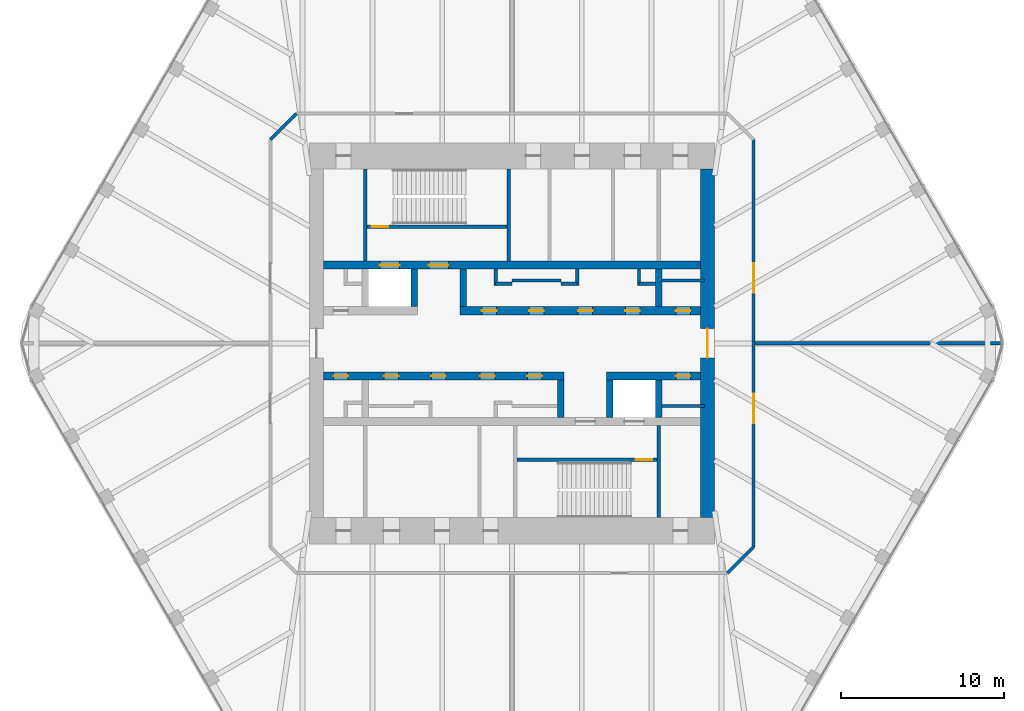
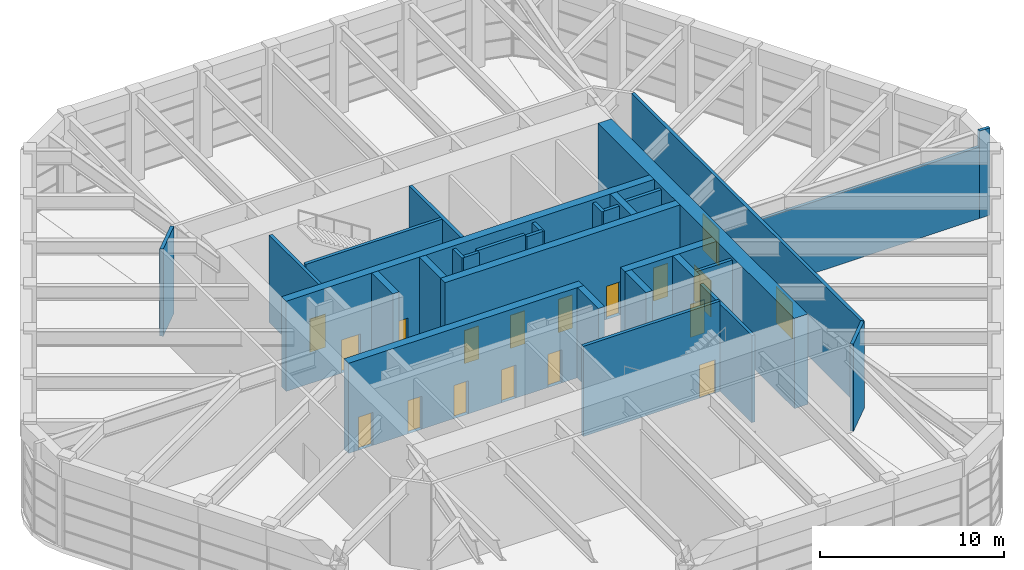
# One storey, part 14 of 16: 30 walls, 18 doors, 18 openings.
"""IFC4 building model written with IfcOpenShell, lengths in metres."""

from ifc_helpers import new_model, si_unit, direction, frame, frame_2d, origin, place, context, subcontext, project, spatial, rectangle, extrude, material, layer, layer_set, type_object, element, fill, save


model = new_model("IFC4")

# Units and contexts
model_context = context("Model", 3, precision=1e-05, world=origin(), true_north=direction((0.0, 1.0)))
body_context = subcontext(model_context, "Body", "Model", "MODEL_VIEW")
ifc_project = project(units=[si_unit("LENGTHUNIT", "METRE"), si_unit("AREAUNIT", "SQUARE_METRE"), si_unit("VOLUMEUNIT", "CUBIC_METRE"), si_unit("PLANEANGLEUNIT", "RADIAN"), si_unit("MASSUNIT", "GRAM", prefix="KILO")], contexts=[model_context])

# Site, building, storey
site_placement = place(None, origin())
site = spatial("IfcSite", under=ifc_project, at=site_placement, CompositionType="ELEMENT")
building_placement = place(site_placement, origin())
building = spatial("IfcBuilding", under=site, at=building_placement, Name="Tarfa Lantern Tower", CompositionType="ELEMENT")
storey_placement = place(building_placement, frame((0.0, 0.0, 396.300048828125)))
storey = spatial("IfcBuildingStorey", under=building, at=storey_placement, Name="L90", CompositionType="ELEMENT", Elevation=396.300048828125)

# Walls
ifc_material_1 = material(Name="Concrete blockwork", Category="masonry")
ifc_layer_1 = layer(ifc_material_1, 0.199951171875)
ifc_layer_set_1 = layer_set([ifc_layer_1], Name="IW1 BLOCKWORK PARTITION 200 EI 120")
wall_type_1 = type_object("IfcWallType", Name="IW1 BLOCKWORK PARTITION 200 EI 120", PredefinedType="PARTITIONING", material=ifc_layer_set_1)
for number, where, z_axis, x_axis, name in (
    (1, (-9.0, 5.050048828125, 0.0), (0.0, 0.0, 1.0), (0.0, 1.0, 0.0), "Core partition"),
    (2, (9.0, -5.050048828125, 0.0), (0.0, 0.0, 1.0), (0.0, -1.0, 0.0), "Core partition"),
):
    element("IfcWall", number, at=place(storey_placement, frame(where, z_axis=z_axis, x_axis=x_axis)), inside=storey, type_object=wall_type_1, Name=name, PredefinedType="PARTITIONING", context=body_context, shape_type="SweptSolid", body=[
        extrude(rectangle(XDim=5.64990234375, YDim=0.199951171875, at=frame_2d((2.824951171875, 0.0))), origin(), (0.0, 0.0, 1.0), 5.800048828125),
    ])
for number, where, z_axis, x_axis, name in (
    (3, (-1.0, 3.64990234375, 0.0), (0.0, 0.0, 1.0), (1.0, 0.0, 0.0), "Core partition"),
    (4, (-1.0, 3.550048828125, 0.0), (0.0, 0.0, 1.0), (0.0, 1.0, 0.0), "Core partition"),
):
    element("IfcWall", number, at=place(storey_placement, frame(where, z_axis=z_axis, x_axis=x_axis)), inside=storey, type_object=wall_type_1, Name=name, PredefinedType="PARTITIONING", context=body_context, shape_type="SweptSolid", body=[
        extrude(rectangle(XDim=1.0, YDim=0.199951171875, at=frame_2d((0.5, 0.0))), origin(), (0.0, 0.0, 1.0), 5.800048828125),
    ])
wall_1_placement = place(storey_placement, frame((0.0, 3.85009765625, 0.0), z_axis=(0.0, 0.0, 1.0), x_axis=(1.0, 0.0, 0.0)))
element("IfcWall", 5, at=wall_1_placement, inside=storey, type_object=wall_type_1, Name="Core partition", PredefinedType="PARTITIONING", context=body_context, shape_type="SweptSolid", body=[
    extrude(rectangle(XDim=3.0, YDim=0.199951171875, at=frame_2d((1.5, 0.0))), origin(), (0.0, 0.0, 1.0), 5.800048828125),
])
for number, where, z_axis, x_axis, name in (
    (6, (3.0, 3.64990234375, 0.0), (0.0, 0.0, 1.0), (1.0, 0.0, 0.0), "Core partition"),
    (7, (4.0, 3.550048828125, 0.0), (0.0, 0.0, 1.0), (0.0, 1.0, 0.0), "Core partition"),
    (8, (7.800048828125, 3.64990234375, 0.0), (0.0, 0.0, 1.0), (1.0, 0.0, 0.0), "Core partition"),
    (9, (7.800048828125, 3.550048828125, 0.0), (0.0, 0.0, 1.0), (0.0, 1.0, 0.0), "Core partition"),
):
    element("IfcWall", number, at=place(storey_placement, frame(where, z_axis=z_axis, x_axis=x_axis)), inside=storey, type_object=wall_type_1, Name=name, PredefinedType="PARTITIONING", context=body_context, shape_type="SweptSolid", body=[
        extrude(rectangle(XDim=1.0, YDim=0.199951171875, at=frame_2d((0.5, 0.0))), origin(), (0.0, 0.0, 1.0), 5.800048828125),
    ])
for number, where, z_axis, x_axis, name in (
    (10, (9.199951171875, 3.85009765625, 0.0), (0.0, 0.0, 1.0), (1.0, 0.0, 0.0), "Core partition"),
    (11, (11.800048828125, -3.85009765625, 0.0), (0.0, 0.0, 1.0), (-1.0, 0.0, 0.0), "Core partition"),
):
    element("IfcWall", number, at=place(storey_placement, frame(where, z_axis=z_axis, x_axis=x_axis)), inside=storey, type_object=wall_type_1, Name=name, PredefinedType="PARTITIONING", context=body_context, shape_type="SweptSolid", body=[
        extrude(rectangle(XDim=2.60009765625, YDim=0.199951171875, at=frame_2d((1.300048828125, 0.0))), origin(), (0.0, 0.0, 1.0), 5.800048828125),
    ])

# Wall, openings, doors
wall_2_placement = place(storey_placement, frame((14.824951171875, 12.5, 0.0), z_axis=(0.0, 0.0, 1.0), x_axis=(0.0, -1.0, 0.0)))
wall_2 = element("IfcWall", 12, at=wall_2_placement, inside=storey, type_object=wall_type_1, Name="Fire-rated partition", PredefinedType="PARTITIONING", context=body_context, shape_type="SweptSolid", body=[
    extrude(rectangle(XDim=25.0, YDim=0.199951171875, at=frame_2d((12.5, 0.0))), origin(), (0.0, 0.0, 1.0), 5.800048828125),
])
opening_1_placement = place(wall_2_placement, frame((7.60009765625, 0.0, 0.0)))
opening_1 = element("IfcOpeningElement", 13, at=opening_1_placement, cuts=wall_2, Name="Opening D29", PredefinedType="OPENING", context=body_context, shape_type="SweptSolid", body=[
    extrude(rectangle(XDim=1.800048828125, YDim=2.39990234375, at=frame_2d((0.89990234375, 1.199951171875))), frame((0.0, 0.10986328125, 0.0), z_axis=(0.0, -1.0, 0.0), x_axis=(1.0, 0.0, 0.0)), (0.0, 0.0, 1.0), 0.219970703125),
])
opening_2_placement = place(wall_2_placement, frame((15.60009765625, 0.0, 0.0)))
opening_2 = element("IfcOpeningElement", 14, at=opening_2_placement, cuts=wall_2, Name="Opening D31", PredefinedType="OPENING", context=body_context, shape_type="SweptSolid", body=[
    extrude(rectangle(XDim=1.800048828125, YDim=2.39990234375, at=frame_2d((0.89990234375, 1.199951171875))), frame((0.0, 0.10986328125, 0.0), z_axis=(0.0, -1.0, 0.0), x_axis=(1.0, 0.0, 0.0)), (0.0, 0.0, 1.0), 0.219970703125),
])
ifc_material_2 = material(Name="Steel fire door", Category="steel")
door_type_1 = type_object("IfcDoorType", Name="DF7 FIRE DOOR 1800x2400", OperationType="DOUBLE_DOOR_SINGLE_SWING", PredefinedType="DOOR", material=ifc_material_2)
door_1_placement = place(opening_1_placement, origin())
door_1 = element("IfcDoor", 15, at=door_1_placement, inside=storey, type_object=door_type_1, Name="Air handling plant room door", OperationType="DOUBLE_DOOR_SINGLE_SWING", OverallHeight=2.39990234375, OverallWidth=1.800048828125, PredefinedType="DOOR", context=body_context, shape_type="SweptSolid", body=[
    extrude(rectangle(XDim=1.800048828125, YDim=2.39990234375, at=frame_2d((0.89990234375, 1.199951171875))), frame((0.0, 0.02490234375, 0.0), z_axis=(0.0, -1.0, 0.0), x_axis=(1.0, 0.0, 0.0)), (0.0, 0.0, 1.0), 0.050048828125),
])
fill(opening_1, door_1)
door_2_placement = place(opening_2_placement, origin())
door_2 = element("IfcDoor", 16, at=door_2_placement, inside=storey, type_object=door_type_1, Name="Water tank room door", OperationType="DOUBLE_DOOR_SINGLE_SWING", OverallHeight=2.39990234375, OverallWidth=1.800048828125, PredefinedType="DOOR", context=body_context, shape_type="SweptSolid", body=[
    extrude(rectangle(XDim=1.800048828125, YDim=2.39990234375, at=frame_2d((0.89990234375, 1.199951171875))), frame((0.0, 0.02490234375, 0.0), z_axis=(0.0, -1.0, 0.0), x_axis=(1.0, 0.0, 0.0)), (0.0, 0.0, 1.0), 0.050048828125),
])
fill(opening_2, door_2)

# Walls
for number, where, z_axis, x_axis, name in (
    (17, (14.824951171875, -12.5, 0.0), (0.0, 0.0, 1.0), (-0.707052830339, -0.707160727918, 0.0), "Fire-rated partition"),
    (18, (-14.824951171875, 12.5, 0.0), (0.0, 0.0, 1.0), (0.707052830339, 0.707160727918, 0.0), "Fire-rated partition"),
):
    element("IfcWall", number, at=place(storey_placement, frame(where, z_axis=z_axis, x_axis=x_axis)), inside=storey, type_object=wall_type_1, Name=name, PredefinedType="PARTITIONING", context=body_context, shape_type="SweptSolid", body=[
        extrude(rectangle(XDim=2.2626953125, YDim=0.199951171875, at=frame_2d((1.13134765625, 0.0))), origin(), (0.0, 0.0, 1.0), 5.800048828125),
    ])
wall_3_placement = place(storey_placement, frame((14.925048828125, 0.0, 0.0), z_axis=(0.0, 0.0, 1.0), x_axis=(1.0, 0.0, 0.0)))
element("IfcWall", 19, at=wall_3_placement, inside=storey, type_object=wall_type_1, Name="Fire-rated partition", PredefinedType="PARTITIONING", context=body_context, shape_type="SweptSolid", body=[
    extrude(rectangle(XDim=14.421630859375, YDim=0.199951171875, at=frame_2d((7.2109375, 0.0))), origin(), (0.0, 0.0, 1.0), 4.743896484375),
])
wall_4_placement = place(storey_placement, frame((29.3466796875, 0.0, 0.0), z_axis=(0.0, 0.0, 1.0), x_axis=(1.0, 0.0, 0.0)))
element("IfcWall", 20, at=wall_4_placement, inside=storey, type_object=wall_type_1, Name="Fire-rated partition", PredefinedType="PARTITIONING", context=body_context, shape_type="SweptSolid", body=[
    extrude(rectangle(XDim=0.65673828125, YDim=0.199951171875, at=frame_2d((0.328369140625, 0.0))), origin(), (0.0, 0.0, 1.0), 5.800048828125),
])
ifc_material_3 = material(Name="Concrete C80/95", Category="concrete")
ifc_layer_2 = layer(ifc_material_3, 0.199951171875)
ifc_layer_set_2 = layer_set([ifc_layer_2], Name="SW12 CORE WALL 200")
wall_type_2 = type_object("IfcWallType", Name="SW12 CORE WALL 200", PredefinedType="SHEAR", material=ifc_layer_set_2)
wall_5_placement = place(storey_placement, frame((-0.199951171875, 5.050048828125, 0.0), z_axis=(0.0, 0.0, 1.0), x_axis=(0.0, 1.0, 0.0)))
element("IfcWall", 21, at=wall_5_placement, inside=storey, type_object=wall_type_2, Name="Core wall stair shaft N", PredefinedType="SHEAR", context=body_context, shape_type="SweptSolid", body=[
    extrude(rectangle(XDim=5.64990234375, YDim=0.199951171875, at=frame_2d((2.824951171875, 0.0))), origin(), (0.0, 0.0, 1.0), 6.0),
])

# Wall, opening, door
wall_6_placement = place(storey_placement, frame((-8.89990234375, 7.14990234375, 0.0), z_axis=(0.0, 0.0, 1.0), x_axis=(1.0, 0.0, 0.0)))
wall_6 = element("IfcWall", 22, at=wall_6_placement, inside=storey, type_object=wall_type_2, Name="Core wall stair partition N", PredefinedType="SHEAR", context=body_context, shape_type="SweptSolid", body=[
    extrude(rectangle(XDim=8.599853515625, YDim=0.199951171875, at=frame_2d((4.2998046875, 0.0))), origin(), (0.0, 0.0, 1.0), 6.0),
])
opening_3_placement = place(wall_6_placement, frame((0.300048828125, 0.0, 0.0)))
opening_3 = element("IfcOpeningElement", 23, at=opening_3_placement, cuts=wall_6, Name="Opening D27", PredefinedType="OPENING", context=body_context, shape_type="SweptSolid", body=[
    extrude(rectangle(XDim=1.0, YDim=2.199951171875, at=frame_2d((0.5, 1.10009765625))), frame((0.0, 0.10986328125, 0.0), z_axis=(0.0, -1.0, 0.0), x_axis=(1.0, 0.0, 0.0)), (0.0, 0.0, 1.0), 0.219970703125),
])
door_type_2 = type_object("IfcDoorType", Name="DF2 STAIR DOOR 1000x2200", OperationType="SINGLE_SWING_LEFT", PredefinedType="DOOR", material=ifc_material_2)
door_3_placement = place(opening_3_placement, origin())
door_3 = element("IfcDoor", 24, at=door_3_placement, inside=storey, type_object=door_type_2, Name="Stair door", OperationType="SINGLE_SWING_RIGHT", OverallHeight=2.199951171875, OverallWidth=1.0, PredefinedType="DOOR", context=body_context, shape_type="SweptSolid", body=[
    extrude(rectangle(XDim=1.0, YDim=2.199951171875, at=frame_2d((0.5, 1.10009765625))), frame((0.0, 0.02490234375, 0.0), z_axis=(0.0, -1.0, 0.0), x_axis=(1.0, 0.0, 0.0)), (0.0, 0.0, 1.0), 0.050048828125),
])
fill(opening_3, door_3)

wall_7_placement = place(storey_placement, frame((8.89990234375, -7.14990234375, 0.0), z_axis=(0.0, 0.0, 1.0), x_axis=(-1.0, 0.0, 0.0)))
wall_7 = element("IfcWall", 25, at=wall_7_placement, inside=storey, type_object=wall_type_2, Name="Core wall stair partition S", PredefinedType="SHEAR", context=body_context, shape_type="SweptSolid", body=[
    extrude(rectangle(XDim=8.599853515625, YDim=0.199951171875, at=frame_2d((4.2998046875, 0.0))), origin(), (0.0, 0.0, 1.0), 6.0),
])
opening_4_placement = place(wall_7_placement, frame((0.300048828125, 0.0, 0.0)))
opening_4 = element("IfcOpeningElement", 26, at=opening_4_placement, cuts=wall_7, Name="Opening D28", PredefinedType="OPENING", context=body_context, shape_type="SweptSolid", body=[
    extrude(rectangle(XDim=1.0, YDim=2.199951171875, at=frame_2d((0.5, 1.10009765625))), frame((0.0, 0.10986328125, 0.0), z_axis=(0.0, -1.0, 0.0), x_axis=(1.0, 0.0, 0.0)), (0.0, 0.0, 1.0), 0.219970703125),
])
door_4_placement = place(opening_4_placement, origin())
door_4 = element("IfcDoor", 27, at=door_4_placement, inside=storey, type_object=door_type_2, Name="Stair door", OperationType="SINGLE_SWING_RIGHT", OverallHeight=2.199951171875, OverallWidth=1.0, PredefinedType="DOOR", context=body_context, shape_type="SweptSolid", body=[
    extrude(rectangle(XDim=1.0, YDim=2.199951171875, at=frame_2d((0.5, 1.10009765625))), frame((0.0, 0.02490234375, 0.0), z_axis=(0.0, -1.0, 0.0), x_axis=(1.0, 0.0, 0.0)), (0.0, 0.0, 1.0), 0.050048828125),
])
fill(opening_4, door_4)

ifc_layer_3 = layer(ifc_material_3, 0.85009765625)
ifc_layer_set_3 = layer_set([ifc_layer_3], Name="SW3 CORE WALL 850")
wall_type_3 = type_object("IfcWallType", Name="SW3 CORE WALL 850", PredefinedType="SHEAR", material=ifc_layer_set_3)
wall_8_placement = place(storey_placement, frame((12.0, -10.699951171875, 0.0), z_axis=(0.0, 0.0, 1.0), x_axis=(0.0, 1.0, 0.0)))
wall_8 = element("IfcWall", 28, at=wall_8_placement, inside=storey, type_object=wall_type_3, Name="Core wall E", PredefinedType="SHEAR", context=body_context, shape_type="SweptSolid", body=[
    extrude(rectangle(XDim=21.39990234375, YDim=0.85009765625, at=frame_2d((10.699951171875, 0.0))), origin(), (0.0, 0.0, 1.0), 6.0),
])
opening_5_placement = place(wall_8_placement, frame((9.800048828125, 0.0, 0.0)))
opening_5 = element("IfcOpeningElement", 29, at=opening_5_placement, cuts=wall_8, Name="Opening D07", PredefinedType="OPENING", context=body_context, shape_type="SweptSolid", body=[
    extrude(rectangle(XDim=1.800048828125, YDim=2.39990234375, at=frame_2d((0.89990234375, 1.199951171875))), frame((0.0, 0.43505859375, 0.0), z_axis=(0.0, -1.0, 0.0), x_axis=(1.0, 0.0, 0.0)), (0.0, 0.0, 1.0), 0.8701171875),
])
door_type_3 = type_object("IfcDoorType", Name="DL1 LOBBY DOOR 1800x2400", OperationType="DOUBLE_DOOR_SINGLE_SWING", PredefinedType="DOOR", material=ifc_material_2)
door_5_placement = place(opening_5_placement, frame((1.800048828125, 0.0, 0.0), z_axis=(0.0, 0.0, 1.0), x_axis=(-1.0, 0.0, 0.0)))
door_5 = element("IfcDoor", 30, at=door_5_placement, inside=storey, type_object=door_type_3, Name="Lift lobby door", OperationType="DOUBLE_DOOR_SINGLE_SWING", OverallHeight=2.39990234375, OverallWidth=1.800048828125, PredefinedType="DOOR", context=body_context, shape_type="SweptSolid", body=[
    extrude(rectangle(XDim=1.800048828125, YDim=2.39990234375, at=frame_2d((0.89990234375, 1.199951171875))), frame((0.0, 0.02490234375, 0.0), z_axis=(0.0, -1.0, 0.0), x_axis=(1.0, 0.0, 0.0)), (0.0, 0.0, 1.0), 0.050048828125),
])
fill(opening_5, door_5)

# Wall, openings, doors
ifc_layer_4 = layer(ifc_material_3, 0.5)
ifc_layer_set_4 = layer_set([ifc_layer_4], Name="SW5 CORE WALL 500")
wall_type_4 = type_object("IfcWallType", Name="SW5 CORE WALL 500", PredefinedType="SHEAR", material=ifc_layer_set_4)
wall_9_placement = place(storey_placement, frame((-3.199951171875, 2.0, 0.0), z_axis=(0.0, 0.0, 1.0), x_axis=(1.0, 0.0, 0.0)))
wall_9 = element("IfcWall", 31, at=wall_9_placement, inside=storey, type_object=wall_type_4, Name="Core wall lobby east N", PredefinedType="SHEAR", context=body_context, shape_type="SweptSolid", body=[
    extrude(rectangle(XDim=14.77490234375, YDim=0.5, at=frame_2d((7.387451171875, 0.0))), origin(), (0.0, 0.0, 1.0), 6.0),
])
opening_6_placement = place(wall_9_placement, frame((1.35009765625, 0.0, 0.0)))
opening_6 = element("IfcOpeningElement", 32, at=opening_6_placement, cuts=wall_9, Name="Opening D13", PredefinedType="OPENING", context=body_context, shape_type="SweptSolid", body=[
    extrude(rectangle(XDim=0.89990234375, YDim=2.199951171875, at=frame_2d((0.449951171875, 1.10009765625))), frame((0.0, 0.260009765625, 0.0), z_axis=(0.0, -1.0, 0.0), x_axis=(1.0, 0.0, 0.0)), (0.0, 0.0, 1.0), 0.52001953125),
])
opening_7_placement = place(wall_9_placement, frame((4.25, 0.0, 0.0)))
opening_7 = element("IfcOpeningElement", 33, at=opening_7_placement, cuts=wall_9, Name="Opening D15", PredefinedType="OPENING", context=body_context, shape_type="SweptSolid", body=[
    extrude(rectangle(XDim=0.89990234375, YDim=2.199951171875, at=frame_2d((0.449951171875, 1.10009765625))), frame((0.0, 0.260009765625, 0.0), z_axis=(0.0, -1.0, 0.0), x_axis=(1.0, 0.0, 0.0)), (0.0, 0.0, 1.0), 0.52001953125),
])
opening_8_placement = place(wall_9_placement, frame((7.25, 0.0, 0.0)))
opening_8 = element("IfcOpeningElement", 34, at=opening_8_placement, cuts=wall_9, Name="Opening D17", PredefinedType="OPENING", context=body_context, shape_type="SweptSolid", body=[
    extrude(rectangle(XDim=0.89990234375, YDim=2.199951171875, at=frame_2d((0.449951171875, 1.10009765625))), frame((0.0, 0.260009765625, 0.0), z_axis=(0.0, -1.0, 0.0), x_axis=(1.0, 0.0, 0.0)), (0.0, 0.0, 1.0), 0.52001953125),
])
opening_9_placement = place(wall_9_placement, frame((10.14990234375, 0.0, 0.0)))
opening_9 = element("IfcOpeningElement", 35, at=opening_9_placement, cuts=wall_9, Name="Opening D19", PredefinedType="OPENING", context=body_context, shape_type="SweptSolid", body=[
    extrude(rectangle(XDim=0.89990234375, YDim=2.199951171875, at=frame_2d((0.449951171875, 1.10009765625))), frame((0.0, 0.260009765625, 0.0), z_axis=(0.0, -1.0, 0.0), x_axis=(1.0, 0.0, 0.0)), (0.0, 0.0, 1.0), 0.52001953125),
])
opening_10_placement = place(wall_9_placement, frame((13.25, 0.0, 0.0)))
opening_10 = element("IfcOpeningElement", 36, at=opening_10_placement, cuts=wall_9, Name="Opening D09", PredefinedType="OPENING", context=body_context, shape_type="SweptSolid", body=[
    extrude(rectangle(XDim=0.89990234375, YDim=2.199951171875, at=frame_2d((0.449951171875, 1.10009765625))), frame((0.0, 0.260009765625, 0.0), z_axis=(0.0, -1.0, 0.0), x_axis=(1.0, 0.0, 0.0)), (0.0, 0.0, 1.0), 0.52001953125),
])
door_type_4 = type_object("IfcDoorType", Name="DF6 SERVICE ROOM DOOR 900x2200", OperationType="SINGLE_SWING_LEFT", PredefinedType="DOOR", material=ifc_material_2)
door_6_placement = place(opening_6_placement, origin())
door_6 = element("IfcDoor", 37, at=door_6_placement, inside=storey, type_object=door_type_4, Name="Service room door", OperationType="SINGLE_SWING_RIGHT", OverallHeight=2.199951171875, OverallWidth=0.89990234375, PredefinedType="DOOR", context=body_context, shape_type="SweptSolid", body=[
    extrude(rectangle(XDim=0.89990234375, YDim=2.199951171875, at=frame_2d((0.449951171875, 1.10009765625))), frame((0.0, 0.02490234375, 0.0), z_axis=(0.0, -1.0, 0.0), x_axis=(1.0, 0.0, 0.0)), (0.0, 0.0, 1.0), 0.050048828125),
])
fill(opening_6, door_6)
door_7_placement = place(opening_7_placement, origin())
door_7 = element("IfcDoor", 38, at=door_7_placement, inside=storey, type_object=door_type_4, Name="Service room door", OperationType="SINGLE_SWING_RIGHT", OverallHeight=2.199951171875, OverallWidth=0.89990234375, PredefinedType="DOOR", context=body_context, shape_type="SweptSolid", body=[
    extrude(rectangle(XDim=0.89990234375, YDim=2.199951171875, at=frame_2d((0.449951171875, 1.10009765625))), frame((0.0, 0.02490234375, 0.0), z_axis=(0.0, -1.0, 0.0), x_axis=(1.0, 0.0, 0.0)), (0.0, 0.0, 1.0), 0.050048828125),
])
fill(opening_7, door_7)
door_8_placement = place(opening_8_placement, origin())
door_8 = element("IfcDoor", 39, at=door_8_placement, inside=storey, type_object=door_type_4, Name="Service room door", OperationType="SINGLE_SWING_LEFT", OverallHeight=2.199951171875, OverallWidth=0.89990234375, PredefinedType="DOOR", context=body_context, shape_type="SweptSolid", body=[
    extrude(rectangle(XDim=0.89990234375, YDim=2.199951171875, at=frame_2d((0.449951171875, 1.10009765625))), frame((0.0, 0.02490234375, 0.0), z_axis=(0.0, -1.0, 0.0), x_axis=(1.0, 0.0, 0.0)), (0.0, 0.0, 1.0), 0.050048828125),
])
fill(opening_8, door_8)
door_9_placement = place(opening_9_placement, origin())
door_9 = element("IfcDoor", 40, at=door_9_placement, inside=storey, type_object=door_type_4, Name="Service room door", OperationType="SINGLE_SWING_LEFT", OverallHeight=2.199951171875, OverallWidth=0.89990234375, PredefinedType="DOOR", context=body_context, shape_type="SweptSolid", body=[
    extrude(rectangle(XDim=0.89990234375, YDim=2.199951171875, at=frame_2d((0.449951171875, 1.10009765625))), frame((0.0, 0.02490234375, 0.0), z_axis=(0.0, -1.0, 0.0), x_axis=(1.0, 0.0, 0.0)), (0.0, 0.0, 1.0), 0.050048828125),
])
fill(opening_9, door_9)
door_10_placement = place(opening_10_placement, origin())
door_10 = element("IfcDoor", 41, at=door_10_placement, inside=storey, type_object=door_type_4, Name="Service room door", OperationType="SINGLE_SWING_LEFT", OverallHeight=2.199951171875, OverallWidth=0.89990234375, PredefinedType="DOOR", context=body_context, shape_type="SweptSolid", body=[
    extrude(rectangle(XDim=0.89990234375, YDim=2.199951171875, at=frame_2d((0.449951171875, 1.10009765625))), frame((0.0, 0.02490234375, 0.0), z_axis=(0.0, -1.0, 0.0), x_axis=(1.0, 0.0, 0.0)), (0.0, 0.0, 1.0), 0.050048828125),
])
fill(opening_10, door_10)

wall_10_placement = place(storey_placement, frame((-11.574951171875, 4.800048828125, 0.0), z_axis=(0.0, 0.0, 1.0), x_axis=(1.0, 0.0, 0.0)))
wall_10 = element("IfcWall", 42, at=wall_10_placement, inside=storey, type_object=wall_type_4, Name="Core wall rear N", PredefinedType="SHEAR", context=body_context, shape_type="SweptSolid", body=[
    extrude(rectangle(XDim=23.14990234375, YDim=0.5, at=frame_2d((11.574951171875, 0.0))), origin(), (0.0, 0.0, 1.0), 6.0),
])
opening_11_placement = place(wall_10_placement, frame((6.47509765625, 0.0, 0.0)))
opening_11 = element("IfcOpeningElement", 43, at=opening_11_placement, cuts=wall_10, Name="Opening D05", PredefinedType="OPENING", context=body_context, shape_type="SweptSolid", body=[
    extrude(rectangle(XDim=1.199951171875, YDim=2.199951171875, at=frame_2d((0.60009765625, 1.10009765625))), frame((0.0, 0.260009765625, 0.0), z_axis=(0.0, -1.0, 0.0), x_axis=(1.0, 0.0, 0.0)), (0.0, 0.0, 1.0), 0.52001953125),
])
opening_12_placement = place(wall_10_placement, frame((3.47509765625, 0.0, 0.0)))
opening_12 = element("IfcOpeningElement", 44, at=opening_12_placement, cuts=wall_10, Name="Opening LD01", PredefinedType="OPENING", context=body_context, shape_type="SweptSolid", body=[
    extrude(rectangle(XDim=1.199951171875, YDim=2.199951171875, at=frame_2d((0.60009765625, 1.10009765625))), frame((0.0, 0.260009765625, 0.0), z_axis=(0.0, -1.0, 0.0), x_axis=(1.0, 0.0, 0.0)), (0.0, 0.0, 1.0), 0.52001953125),
])
door_type_5 = type_object("IfcDoorType", Name="DF1 FIREFIGHTING LOBBY DOOR 1200x2200", OperationType="SINGLE_SWING_LEFT", PredefinedType="DOOR", material=ifc_material_2)
door_11_placement = place(opening_11_placement, origin())
door_11 = element("IfcDoor", 45, at=door_11_placement, inside=storey, type_object=door_type_5, Name="Firefighting lobby door", OperationType="SINGLE_SWING_LEFT", OverallHeight=2.199951171875, OverallWidth=1.199951171875, PredefinedType="DOOR", context=body_context, shape_type="SweptSolid", body=[
    extrude(rectangle(XDim=1.199951171875, YDim=2.199951171875, at=frame_2d((0.60009765625, 1.10009765625))), frame((0.0, 0.02490234375, 0.0), z_axis=(0.0, -1.0, 0.0), x_axis=(1.0, 0.0, 0.0)), (0.0, 0.0, 1.0), 0.050048828125),
])
fill(opening_11, door_11)
ifc_material_4 = material(Name="Stainless steel lift door", Category="steel")
door_type_6 = type_object("IfcDoorType", Name="LD1 LIFT LANDING DOOR 1200x2200", OperationType="SLIDING_TO_LEFT", PredefinedType="DOOR", material=ifc_material_4)
door_12_placement = place(opening_12_placement, origin())
door_12 = element("IfcDoor", 46, at=door_12_placement, inside=storey, type_object=door_type_6, Name="Landing door FL1", OperationType="SLIDING_TO_LEFT", OverallHeight=2.199951171875, OverallWidth=1.199951171875, PredefinedType="DOOR", context=body_context, shape_type="SweptSolid", body=[
    extrude(rectangle(XDim=1.199951171875, YDim=2.199951171875, at=frame_2d((0.60009765625, 1.10009765625))), frame((0.0, 0.02490234375, 0.0), z_axis=(0.0, -1.0, 0.0), x_axis=(1.0, 0.0, 0.0)), (0.0, 0.0, 1.0), 0.050048828125),
])
fill(opening_12, door_12)

# Wall, opening, door
wall_11_placement = place(storey_placement, frame((11.574951171875, -2.0, 0.0), z_axis=(0.0, 0.0, 1.0), x_axis=(-1.0, 0.0, 0.0)))
wall_11 = element("IfcWall", 47, at=wall_11_placement, inside=storey, type_object=wall_type_4, Name="Core wall lobby west S", PredefinedType="SHEAR", context=body_context, shape_type="SweptSolid", body=[
    extrude(rectangle(XDim=5.77490234375, YDim=0.5, at=frame_2d((2.887451171875, 0.0))), origin(), (0.0, 0.0, 1.0), 6.0),
])
opening_13_placement = place(wall_11_placement, frame((0.625, 0.0, 0.0)))
opening_13 = element("IfcOpeningElement", 48, at=opening_13_placement, cuts=wall_11, Name="Opening D12", PredefinedType="OPENING", context=body_context, shape_type="SweptSolid", body=[
    extrude(rectangle(XDim=0.89990234375, YDim=2.199951171875, at=frame_2d((0.449951171875, 1.10009765625))), frame((0.0, 0.260009765625, 0.0), z_axis=(0.0, -1.0, 0.0), x_axis=(1.0, 0.0, 0.0)), (0.0, 0.0, 1.0), 0.52001953125),
])
door_13_placement = place(opening_13_placement, origin())
door_13 = element("IfcDoor", 49, at=door_13_placement, inside=storey, type_object=door_type_4, Name="Service room door", OperationType="SINGLE_SWING_RIGHT", OverallHeight=2.199951171875, OverallWidth=0.89990234375, PredefinedType="DOOR", context=body_context, shape_type="SweptSolid", body=[
    extrude(rectangle(XDim=0.89990234375, YDim=2.199951171875, at=frame_2d((0.449951171875, 1.10009765625))), frame((0.0, 0.02490234375, 0.0), z_axis=(0.0, -1.0, 0.0), x_axis=(1.0, 0.0, 0.0)), (0.0, 0.0, 1.0), 0.050048828125),
])
fill(opening_13, door_13)

# Wall, openings, doors
wall_12_placement = place(storey_placement, frame((3.199951171875, -2.0, 0.0), z_axis=(0.0, 0.0, 1.0), x_axis=(-1.0, 0.0, 0.0)))
wall_12 = element("IfcWall", 50, at=wall_12_placement, inside=storey, type_object=wall_type_4, Name="Core wall lobby east S", PredefinedType="SHEAR", context=body_context, shape_type="SweptSolid", body=[
    extrude(rectangle(XDim=14.77490234375, YDim=0.5, at=frame_2d((7.387451171875, 0.0))), origin(), (0.0, 0.0, 1.0), 6.0),
])
opening_14_placement = place(wall_12_placement, frame((1.35009765625, 0.0, 0.0)))
opening_14 = element("IfcOpeningElement", 51, at=opening_14_placement, cuts=wall_12, Name="Opening D14", PredefinedType="OPENING", context=body_context, shape_type="SweptSolid", body=[
    extrude(rectangle(XDim=0.89990234375, YDim=2.199951171875, at=frame_2d((0.449951171875, 1.10009765625))), frame((0.0, 0.260009765625, 0.0), z_axis=(0.0, -1.0, 0.0), x_axis=(1.0, 0.0, 0.0)), (0.0, 0.0, 1.0), 0.52001953125),
])
opening_15_placement = place(wall_12_placement, frame((4.25, 0.0, 0.0)))
opening_15 = element("IfcOpeningElement", 52, at=opening_15_placement, cuts=wall_12, Name="Opening D16", PredefinedType="OPENING", context=body_context, shape_type="SweptSolid", body=[
    extrude(rectangle(XDim=0.89990234375, YDim=2.199951171875, at=frame_2d((0.449951171875, 1.10009765625))), frame((0.0, 0.260009765625, 0.0), z_axis=(0.0, -1.0, 0.0), x_axis=(1.0, 0.0, 0.0)), (0.0, 0.0, 1.0), 0.52001953125),
])
opening_16_placement = place(wall_12_placement, frame((7.25, 0.0, 0.0)))
opening_16 = element("IfcOpeningElement", 53, at=opening_16_placement, cuts=wall_12, Name="Opening D18", PredefinedType="OPENING", context=body_context, shape_type="SweptSolid", body=[
    extrude(rectangle(XDim=0.89990234375, YDim=2.199951171875, at=frame_2d((0.449951171875, 1.10009765625))), frame((0.0, 0.260009765625, 0.0), z_axis=(0.0, -1.0, 0.0), x_axis=(1.0, 0.0, 0.0)), (0.0, 0.0, 1.0), 0.52001953125),
])
opening_17_placement = place(wall_12_placement, frame((10.14990234375, 0.0, 0.0)))
opening_17 = element("IfcOpeningElement", 54, at=opening_17_placement, cuts=wall_12, Name="Opening D20", PredefinedType="OPENING", context=body_context, shape_type="SweptSolid", body=[
    extrude(rectangle(XDim=0.89990234375, YDim=2.199951171875, at=frame_2d((0.449951171875, 1.10009765625))), frame((0.0, 0.260009765625, 0.0), z_axis=(0.0, -1.0, 0.0), x_axis=(1.0, 0.0, 0.0)), (0.0, 0.0, 1.0), 0.52001953125),
])
opening_18_placement = place(wall_12_placement, frame((13.25, 0.0, 0.0)))
opening_18 = element("IfcOpeningElement", 55, at=opening_18_placement, cuts=wall_12, Name="Opening D10", PredefinedType="OPENING", context=body_context, shape_type="SweptSolid", body=[
    extrude(rectangle(XDim=0.89990234375, YDim=2.199951171875, at=frame_2d((0.449951171875, 1.10009765625))), frame((0.0, 0.260009765625, 0.0), z_axis=(0.0, -1.0, 0.0), x_axis=(1.0, 0.0, 0.0)), (0.0, 0.0, 1.0), 0.52001953125),
])
door_14_placement = place(opening_14_placement, origin())
door_14 = element("IfcDoor", 56, at=door_14_placement, inside=storey, type_object=door_type_4, Name="Service room door", OperationType="SINGLE_SWING_RIGHT", OverallHeight=2.199951171875, OverallWidth=0.89990234375, PredefinedType="DOOR", context=body_context, shape_type="SweptSolid", body=[
    extrude(rectangle(XDim=0.89990234375, YDim=2.199951171875, at=frame_2d((0.449951171875, 1.10009765625))), frame((0.0, 0.02490234375, 0.0), z_axis=(0.0, -1.0, 0.0), x_axis=(1.0, 0.0, 0.0)), (0.0, 0.0, 1.0), 0.050048828125),
])
fill(opening_14, door_14)
door_15_placement = place(opening_15_placement, origin())
door_15 = element("IfcDoor", 57, at=door_15_placement, inside=storey, type_object=door_type_4, Name="Service room door", OperationType="SINGLE_SWING_RIGHT", OverallHeight=2.199951171875, OverallWidth=0.89990234375, PredefinedType="DOOR", context=body_context, shape_type="SweptSolid", body=[
    extrude(rectangle(XDim=0.89990234375, YDim=2.199951171875, at=frame_2d((0.449951171875, 1.10009765625))), frame((0.0, 0.02490234375, 0.0), z_axis=(0.0, -1.0, 0.0), x_axis=(1.0, 0.0, 0.0)), (0.0, 0.0, 1.0), 0.050048828125),
])
fill(opening_15, door_15)
door_16_placement = place(opening_16_placement, origin())
door_16 = element("IfcDoor", 58, at=door_16_placement, inside=storey, type_object=door_type_4, Name="Service room door", OperationType="SINGLE_SWING_LEFT", OverallHeight=2.199951171875, OverallWidth=0.89990234375, PredefinedType="DOOR", context=body_context, shape_type="SweptSolid", body=[
    extrude(rectangle(XDim=0.89990234375, YDim=2.199951171875, at=frame_2d((0.449951171875, 1.10009765625))), frame((0.0, 0.02490234375, 0.0), z_axis=(0.0, -1.0, 0.0), x_axis=(1.0, 0.0, 0.0)), (0.0, 0.0, 1.0), 0.050048828125),
])
fill(opening_16, door_16)
door_17_placement = place(opening_17_placement, origin())
door_17 = element("IfcDoor", 59, at=door_17_placement, inside=storey, type_object=door_type_4, Name="Service room door", OperationType="SINGLE_SWING_LEFT", OverallHeight=2.199951171875, OverallWidth=0.89990234375, PredefinedType="DOOR", context=body_context, shape_type="SweptSolid", body=[
    extrude(rectangle(XDim=0.89990234375, YDim=2.199951171875, at=frame_2d((0.449951171875, 1.10009765625))), frame((0.0, 0.02490234375, 0.0), z_axis=(0.0, -1.0, 0.0), x_axis=(1.0, 0.0, 0.0)), (0.0, 0.0, 1.0), 0.050048828125),
])
fill(opening_17, door_17)
door_18_placement = place(opening_18_placement, origin())
door_18 = element("IfcDoor", 60, at=door_18_placement, inside=storey, type_object=door_type_4, Name="Service room door", OperationType="SINGLE_SWING_LEFT", OverallHeight=2.199951171875, OverallWidth=0.89990234375, PredefinedType="DOOR", context=body_context, shape_type="SweptSolid", body=[
    extrude(rectangle(XDim=0.89990234375, YDim=2.199951171875, at=frame_2d((0.449951171875, 1.10009765625))), frame((0.0, 0.02490234375, 0.0), z_axis=(0.0, -1.0, 0.0), x_axis=(1.0, 0.0, 0.0)), (0.0, 0.0, 1.0), 0.050048828125),
])
fill(opening_18, door_18)

# Walls
ifc_layer_5 = layer(ifc_material_3, 0.39990234375)
ifc_layer_set_5 = layer_set([ifc_layer_5], Name="SW6 CORE WALL 400")
wall_type_5 = type_object("IfcWallType", Name="SW6 CORE WALL 400", PredefinedType="SHEAR", material=ifc_layer_set_5)
for number, where, z_axis, x_axis, name in (
    (61, (-6.0, 2.25, 0.0), (0.0, 0.0, 1.0), (0.0, 1.0, 0.0), "Core wall divider N"),
    (62, (-3.0, 2.25, 0.0), (0.0, 0.0, 1.0), (0.0, 1.0, 0.0), "Core wall divider N"),
    (63, (9.0, 2.25, 0.0), (0.0, 0.0, 1.0), (0.0, 1.0, 0.0), "Core wall divider N"),
    (64, (9.0, -2.25, 0.0), (0.0, 0.0, 1.0), (0.0, -1.0, 0.0), "Core wall divider S"),
    (65, (6.0, -2.25, 0.0), (0.0, 0.0, 1.0), (0.0, -1.0, 0.0), "Core wall divider S"),
    (66, (3.0, -2.25, 0.0), (0.0, 0.0, 1.0), (0.0, -1.0, 0.0), "Core wall divider S"),
):
    element("IfcWall", number, at=place(storey_placement, frame(where, z_axis=z_axis, x_axis=x_axis)), inside=storey, type_object=wall_type_5, Name=name, PredefinedType="SHEAR", context=body_context, shape_type="SweptSolid", body=[
        extrude(rectangle(XDim=2.300048828125, YDim=0.39990234375, at=frame_2d((1.14990234375, 0.0))), origin(), (0.0, 0.0, 1.0), 6.0),
    ])

save(model, "model.ifc")
